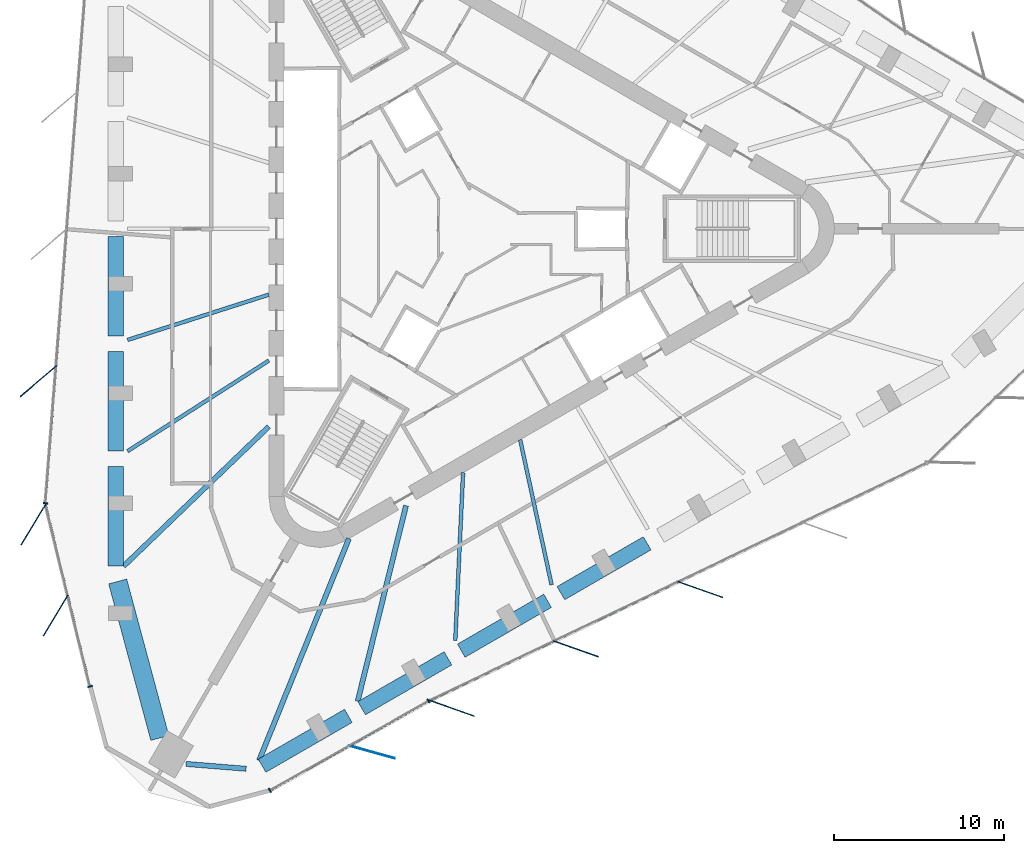
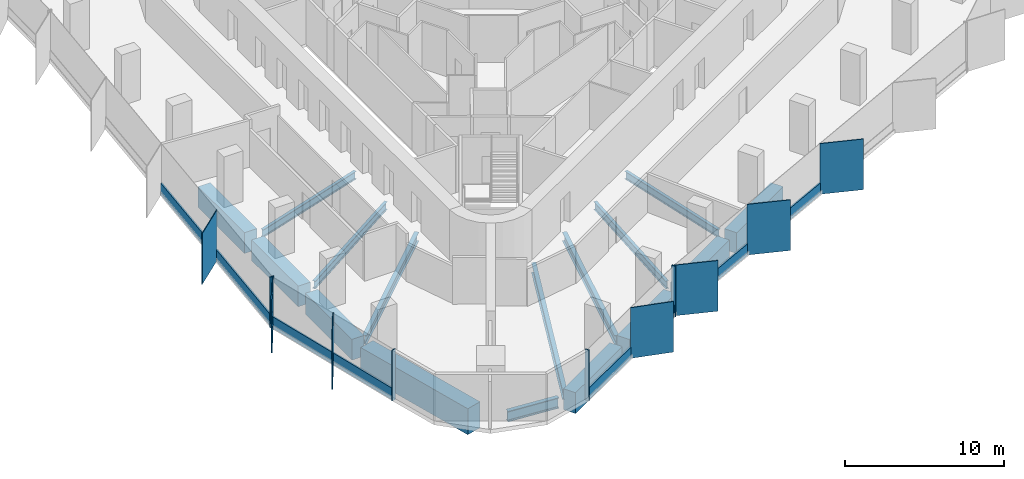
# One storey, part 2 of 14: 19 members, 16 beams, 4 elements without a shape of their own.
"""IFC4 building model written with IfcOpenShell, lengths in metres."""

from ifc_helpers import new_model, si_unit, direction, frame, origin, origin_2d, place, context, subcontext, project, spatial, rectangle, i_section, extrude, material, material_profile, profile_set, type_object, element, aggregate, save


model = new_model("IFC4")

# Units and contexts
model_context = context("Model", 3, precision=1e-05, world=origin(), true_north=direction((0.0, 1.0)))
body_context = subcontext(model_context, "Body", "Model", "MODEL_VIEW")
ifc_project = project(units=[si_unit("LENGTHUNIT", "METRE"), si_unit("AREAUNIT", "SQUARE_METRE"), si_unit("VOLUMEUNIT", "CUBIC_METRE"), si_unit("PLANEANGLEUNIT", "RADIAN"), si_unit("MASSUNIT", "GRAM", prefix="KILO")], contexts=[model_context])

# Site, building, storey
site_placement = place(None, origin())
site = spatial("IfcSite", under=ifc_project, at=site_placement, CompositionType="ELEMENT")
building_placement = place(site_placement, origin())
building = spatial("IfcBuilding", under=site, at=building_placement, Name="Tanit Gate Tower", CompositionType="ELEMENT")
storey_placement = place(building_placement, frame((0.0, 0.0, 298.699951171875)))
storey = spatial("IfcBuildingStorey", under=building, at=storey_placement, Name="L66", CompositionType="ELEMENT", Elevation=298.699951171875)

# Beam
ifc_material_1 = material(Name="Steel S460", Category="steel")
ifc_material_profile_1 = material_profile(ifc_material_1, i_section(OverallWidth=0.302978515625, OverallDepth=0.81396484375, WebThickness=0.02099609375, FlangeThickness=0.0400390625, FilletRadius=0.030029296875, at=origin_2d()), Name="HEM 800")
ifc_profile_set_1 = profile_set([ifc_material_profile_1], Name="Steel S460")
beam_type_1 = type_object("IfcBeamType", Name="BELT TRUSS CHORD HEM 800 S460", PredefinedType="BEAM", material=ifc_profile_set_1)
beam_1_placement = place(storey_placement, frame((-16.9765625, -31.50439453125, -0.70703125), z_axis=(0.996765644219, -0.080363241006, 0.0), x_axis=(0.080363241006, 0.996765644219, 0.0)))
element("IfcBeam", 1, at=beam_1_placement, inside=storey, type_object=beam_type_1, Name="BELT TRUSS CHORD", PredefinedType="BEAM", context=body_context, shape_type="SweptSolid", body=[
    extrude(i_section(OverallWidth=0.302978515625, OverallDepth=0.81396484375, WebThickness=0.02099609375, FlangeThickness=0.0400390625, FilletRadius=0.030029296875, at=origin_2d()), origin(), (0.0, 0.0, 1.0), 3.54833984375),
])

# Curtain wall, member
ifc_material_2 = material(Name="Aluminium bronze anodised and glass", Category="aluminium")
curtain_wall_type = type_object("IfcCurtainWallType", Name="Curtain wall typical high", PredefinedType="NOTDEFINED", material=ifc_material_2)
curtain_wall_1_placement = place(storey_placement, origin())
curtain_wall_1 = element("IfcCurtainWall", 2, at=curtain_wall_1_placement, inside=storey, type_object=curtain_wall_type, Name="Curtain wall L66 W2", PredefinedType="NOTDEFINED")
ifc_material_3 = material(Name="Aluminium bronze anodised", Category="aluminium")
ifc_material_profile_2 = material_profile(ifc_material_3, rectangle(XDim=2.800048828125, YDim=0.055908203125, at=origin_2d()), Name="56x2800 bronze fin mullion")
ifc_profile_set_2 = profile_set([ifc_material_profile_2], Name="Aluminium bronze anodised")
member_type_1 = type_object("IfcMemberType", Name="FIN MULLION 56x2800 bronze", PredefinedType="MULLION", material=ifc_profile_set_2)
member_1_placement = place(storey_placement, frame((-25.669677734375, -8.974609375, -0.300048828125), z_axis=(0.0, 0.0, 1.0), x_axis=(0.760001580735, 0.649921223903, 0.0)))
member_1 = element("IfcMember", 3, at=member_1_placement, type_object=member_type_1, Name="Fin mullion L66 W2.4", PredefinedType="MULLION", context=body_context, shape_type="SweptSolid", body=[
    extrude(rectangle(XDim=2.800048828125, YDim=0.055908203125, at=origin_2d()), origin(), (0.0, 0.0, 1.0), 3.900146484375),
])

# Curtain wall, members
curtain_wall_2_placement = place(storey_placement, origin())
curtain_wall_2 = element("IfcCurtainWall", 4, at=curtain_wall_2_placement, inside=storey, type_object=curtain_wall_type, Name="Curtain wall L66 W3", PredefinedType="NOTDEFINED")
member_2_placement = place(storey_placement, frame((-25.961669921875, -17.415771484375, -0.300048828125), z_axis=(0.0, 0.0, 1.0), x_axis=(0.519036205299, 0.854752255094, 0.0)))
member_2 = element("IfcMember", 5, at=member_2_placement, type_object=member_type_1, Name="Fin mullion L66 W3.1", PredefinedType="MULLION", context=body_context, shape_type="SweptSolid", body=[
    extrude(rectangle(XDim=2.800048828125, YDim=0.055908203125, at=origin_2d()), origin(), (0.0, 0.0, 1.0), 3.900146484375),
])
member_3_placement = place(storey_placement, frame((-24.6533203125, -22.769287109375, -0.300048828125), z_axis=(0.0, 0.0, 1.0), x_axis=(0.519036205299, 0.854752255094, 0.0)))
member_3 = element("IfcMember", 6, at=member_3_placement, type_object=member_type_1, Name="Fin mullion L66 W3.2", PredefinedType="MULLION", context=body_context, shape_type="SweptSolid", body=[
    extrude(rectangle(XDim=2.800048828125, YDim=0.055908203125, at=origin_2d()), origin(), (0.0, 0.0, 1.0), 3.900146484375),
])

# Curtain wall, member
curtain_wall_3_placement = place(storey_placement, origin())
curtain_wall_3 = element("IfcCurtainWall", 7, at=curtain_wall_3_placement, inside=storey, type_object=curtain_wall_type, Name="Curtain wall L66 SE1", PredefinedType="NOTDEFINED")
member_4_placement = place(storey_placement, frame((-6.040283203125, -30.80322265625, -0.300048828125), z_axis=(0.0, 0.0, 1.0), x_axis=(-0.963250243601, 0.268605599724, 0.0)))
member_4 = element("IfcMember", 8, at=member_4_placement, type_object=member_type_1, Name="Fin mullion L66 SE1.2", PredefinedType="MULLION", context=body_context, shape_type="SweptSolid", body=[
    extrude(rectangle(XDim=2.800048828125, YDim=0.055908203125, at=origin_2d()), origin(), (0.0, 0.0, 1.0), 3.900146484375),
])

# Curtain wall, members
curtain_wall_4_placement = place(storey_placement, origin())
curtain_wall_4 = element("IfcCurtainWall", 9, at=curtain_wall_4_placement, inside=storey, type_object=curtain_wall_type, Name="Curtain wall L66 SE2", PredefinedType="NOTDEFINED")
member_5_placement = place(storey_placement, frame((-1.3310546875, -28.22412109375, -0.300048828125), z_axis=(0.0, 0.0, 1.0), x_axis=(-0.942849080727, 0.333220063881, 0.0)))
member_5 = element("IfcMember", 10, at=member_5_placement, type_object=member_type_1, Name="Fin mullion L66 SE2.1", PredefinedType="MULLION", context=body_context, shape_type="SweptSolid", body=[
    extrude(rectangle(XDim=2.800048828125, YDim=0.055908203125, at=origin_2d()), origin(), (0.0, 0.0, 1.0), 3.900146484375),
])
member_6_placement = place(storey_placement, frame((5.981689453125, -24.73046875, -0.300048828125), z_axis=(0.0, 0.0, 1.0), x_axis=(-0.942849080727, 0.333220063881, 0.0)))
member_6 = element("IfcMember", 11, at=member_6_placement, type_object=member_type_1, Name="Fin mullion L66 SE2.2", PredefinedType="MULLION", context=body_context, shape_type="SweptSolid", body=[
    extrude(rectangle(XDim=2.800048828125, YDim=0.055908203125, at=origin_2d()), origin(), (0.0, 0.0, 1.0), 3.900146484375),
])
member_7_placement = place(storey_placement, frame((13.29443359375, -21.237060546875, -0.300048828125), z_axis=(0.0, 0.0, 1.0), x_axis=(-0.942849080727, 0.333220063881, 0.0)))
member_7 = element("IfcMember", 12, at=member_7_placement, type_object=member_type_1, Name="Fin mullion L66 SE2.3", PredefinedType="MULLION", context=body_context, shape_type="SweptSolid", body=[
    extrude(rectangle(XDim=2.800048828125, YDim=0.055908203125, at=origin_2d()), origin(), (0.0, 0.0, 1.0), 3.900146484375),
])

# Member
ifc_material_4 = material(Name="Aluminium bronze anodised", Category="aluminium")
ifc_material_profile_3 = material_profile(ifc_material_4, rectangle(XDim=0.280029296875, YDim=0.080078125, at=origin_2d()), Name="80x280 bronze mullion")
ifc_profile_set_3 = profile_set([ifc_material_profile_3], Name="Aluminium bronze anodised")
member_type_2 = type_object("IfcMemberType", Name="Mullion 80x280 typical high", PredefinedType="MULLION", material=ifc_profile_set_3)
member_8_placement = place(storey_placement, frame((-25.251708984375, -16.157470703125, -0.300048828125), z_axis=(0.0, 0.0, 1.0), x_axis=(0.996965976109, -0.077838566791, 0.0)))
member_8 = element("IfcMember", 13, at=member_8_placement, type_object=member_type_2, Name="Mullion L66 W2.5", PredefinedType="MULLION", context=body_context, shape_type="SweptSolid", body=[
    extrude(rectangle(XDim=0.280029296875, YDim=0.080078125, at=origin_2d()), origin(), (0.0, 0.0, 1.0), 3.900146484375),
])

member_9_placement = place(storey_placement, frame((-22.628662109375, -26.943115234375, -0.300048828125), z_axis=(0.0, 0.0, 1.0), x_axis=(0.97141513626, 0.237387095363, 0.0)))
member_9 = element("IfcMember", 14, at=member_9_placement, type_object=member_type_2, Name="Mullion L66 W3.3", PredefinedType="MULLION", context=body_context, shape_type="SweptSolid", body=[
    extrude(rectangle(XDim=0.280029296875, YDim=0.080078125, at=origin_2d()), origin(), (0.0, 0.0, 1.0), 3.900146484375),
])

member_10_placement = place(storey_placement, frame((-12.0361328125, -33.063720703125, -0.300048828125), z_axis=(0.0, 0.0, 1.0), x_axis=(-0.4911879382, 0.871053620259, 0.0)))
member_10 = element("IfcMember", 15, at=member_10_placement, type_object=member_type_2, Name="Mullion L66 SE1.1", PredefinedType="MULLION", context=body_context, shape_type="SweptSolid", body=[
    extrude(rectangle(XDim=0.280029296875, YDim=0.080078125, at=origin_2d()), origin(), (0.0, 0.0, 1.0), 3.900146484375),
])

member_11_placement = place(storey_placement, frame((-2.703369140625, -27.801025390625, -0.300048828125), z_axis=(0.0, 0.0, 1.0), x_axis=(-0.4911879382, 0.871053620259, 0.0)))
member_11 = element("IfcMember", 16, at=member_11_placement, type_object=member_type_2, Name="Mullion L66 SE1.3", PredefinedType="MULLION", context=body_context, shape_type="SweptSolid", body=[
    extrude(rectangle(XDim=0.280029296875, YDim=0.080078125, at=origin_2d()), origin(), (0.0, 0.0, 1.0), 3.900146484375),
])

# Beams
ifc_material_5 = material(Name="Steel S355", Category="steel")
ifc_material_profile_4 = material_profile(ifc_material_5, i_section(OverallWidth=0.300048828125, OverallDepth=0.68994140625, WebThickness=0.014404296875, FlangeThickness=0.027099609375, FilletRadius=0.027099609375, at=origin_2d()), Name="HEA 700")
ifc_profile_set_4 = profile_set([ifc_material_profile_4], Name="Steel S355")
beam_type_2 = type_object("IfcBeamType", Name="RADIAL GIRDER HEA 700 S355", PredefinedType="BEAM", material=ifc_profile_set_4)
beam_2_placement = place(storey_placement, frame((-20.653564453125, -19.86279296875, -0.64501953125), z_axis=(0.720779680612, 0.693164231634, 0.0), x_axis=(-0.693164231634, 0.720779680612, 0.0)))
element("IfcBeam", 17, at=beam_2_placement, inside=storey, type_object=beam_type_2, Name="RADIAL GIRDER", PredefinedType="BEAM", context=body_context, shape_type="SweptSolid", body=[
    extrude(i_section(OverallWidth=0.300048828125, OverallDepth=0.68994140625, WebThickness=0.014404296875, FlangeThickness=0.027099609375, FilletRadius=0.027099609375, at=origin_2d()), origin(), (0.0, 0.0, 1.0), 11.8642578125),
])
beam_3_placement = place(storey_placement, frame((-6.875, -27.818115234375, -0.64501953125), z_axis=(0.239929921854, 0.970790210395, 0.0), x_axis=(-0.970790210395, 0.239929921854, 0.0)))
element("IfcBeam", 18, at=beam_3_placement, inside=storey, type_object=beam_type_2, Name="RADIAL GIRDER", PredefinedType="BEAM", context=body_context, shape_type="SweptSolid", body=[
    extrude(i_section(OverallWidth=0.300048828125, OverallDepth=0.68994140625, WebThickness=0.014404296875, FlangeThickness=0.027099609375, FilletRadius=0.027099609375, at=origin_2d()), origin(), (0.0, 0.0, 1.0), 11.86474609375),
])
ifc_material_6 = material(Name="Steel S355", Category="steel")
ifc_material_profile_5 = material_profile(ifc_material_6, i_section(OverallWidth=0.300048828125, OverallDepth=0.7900390625, WebThickness=0.014892578125, FlangeThickness=0.028076171875, FilletRadius=0.030029296875, at=origin_2d()), Name="HEA 800")
ifc_profile_set_5 = profile_set([ifc_material_profile_5], Name="Steel S355")
beam_type_3 = type_object("IfcBeamType", Name="RADIAL GIRDER HEA 800 S355", PredefinedType="BEAM", material=ifc_profile_set_5)
beam_4_placement = place(storey_placement, frame((-12.680419921875, -31.3046875, -0.695068359375), z_axis=(0.375439354179, 0.926846962197, 0.0), x_axis=(-0.926846962197, 0.375439354179, 0.0)))
element("IfcBeam", 19, at=beam_4_placement, inside=storey, type_object=beam_type_3, Name="RADIAL GIRDER", PredefinedType="BEAM", context=body_context, shape_type="SweptSolid", body=[
    extrude(i_section(OverallWidth=0.300048828125, OverallDepth=0.7900390625, WebThickness=0.014892578125, FlangeThickness=0.028076171875, FilletRadius=0.030029296875, at=origin_2d()), origin(), (0.0, 0.0, 1.0), 14.09619140625),
])
ifc_material_7 = material(Name="Steel S355", Category="steel")
ifc_material_profile_6 = material_profile(ifc_material_7, i_section(OverallWidth=0.219970703125, OverallDepth=0.60009765625, WebThickness=0.011962890625, FlangeThickness=0.01904296875, FilletRadius=0.02392578125, at=origin_2d()), Name="IPE 600")
ifc_profile_set_6 = profile_set([ifc_material_profile_6], Name="Steel S355")
beam_type_4 = type_object("IfcBeamType", Name="RADIAL GIRDER IPE 600 S355", PredefinedType="BEAM", material=ifc_profile_set_6)
beam_5_placement = place(storey_placement, frame((-20.42138671875, -6.546630859375, -0.599853515625), z_axis=(0.952264375412, 0.305274563828, 0.0), x_axis=(-0.305274563828, 0.952264375412, 0.0)))
element("IfcBeam", 20, at=beam_5_placement, inside=storey, type_object=beam_type_4, Name="RADIAL GIRDER", PredefinedType="BEAM", context=body_context, shape_type="SweptSolid", body=[
    extrude(i_section(OverallWidth=0.219970703125, OverallDepth=0.60009765625, WebThickness=0.011962890625, FlangeThickness=0.01904296875, FilletRadius=0.02392578125, at=origin_2d()), origin(), (0.0, 0.0, 1.0), 8.736328125),
])
beam_6_placement = place(storey_placement, frame((-20.42138671875, -13.09326171875, -0.599853515625), z_axis=(0.841829634381, 0.539743334075, 0.0), x_axis=(-0.539743334075, 0.841829634381, 0.0)))
element("IfcBeam", 21, at=beam_6_placement, inside=storey, type_object=beam_type_4, Name="RADIAL GIRDER", PredefinedType="BEAM", context=body_context, shape_type="SweptSolid", body=[
    extrude(i_section(OverallWidth=0.219970703125, OverallDepth=0.60009765625, WebThickness=0.011962890625, FlangeThickness=0.01904296875, FilletRadius=0.02392578125, at=origin_2d()), origin(), (0.0, 0.0, 1.0), 9.88232421875),
])
beam_7_placement = place(storey_placement, frame((-1.12841796875, -24.232177734375, -0.599853515625), z_axis=(0.046517005863, 0.998917498178, 0.0), x_axis=(-0.998917498178, 0.046517005863, 0.0)))
element("IfcBeam", 22, at=beam_7_placement, inside=storey, type_object=beam_type_4, Name="RADIAL GIRDER", PredefinedType="BEAM", context=body_context, shape_type="SweptSolid", body=[
    extrude(i_section(OverallWidth=0.219970703125, OverallDepth=0.60009765625, WebThickness=0.011962890625, FlangeThickness=0.01904296875, FilletRadius=0.02392578125, at=origin_2d()), origin(), (0.0, 0.0, 1.0), 9.8828125),
])
beam_8_placement = place(storey_placement, frame((4.541259765625, -20.958740234375, -0.599853515625), z_axis=(-0.211767137826, 0.977320151914, 0.0), x_axis=(-0.977320151914, -0.211767137826, 0.0)))
element("IfcBeam", 23, at=beam_8_placement, inside=storey, type_object=beam_type_4, Name="RADIAL GIRDER", PredefinedType="BEAM", context=body_context, shape_type="SweptSolid", body=[
    extrude(i_section(OverallWidth=0.219970703125, OverallDepth=0.60009765625, WebThickness=0.011962890625, FlangeThickness=0.01904296875, FilletRadius=0.02392578125, at=origin_2d()), origin(), (0.0, 0.0, 1.0), 8.736572265625),
])
ifc_material_8 = material(Name="Concrete C60/75", Category="concrete")
ifc_material_profile_7 = material_profile(ifc_material_8, rectangle(XDim=1.10009765625, YDim=2.0, at=origin_2d()), Name="RC 1100x2000")
ifc_profile_set_7 = profile_set([ifc_material_profile_7], Name="Concrete C60/75")
beam_type_5 = type_object("IfcBeamType", Name="TRANSFER GIRDER 1100x2000 C60/75", PredefinedType="USERDEFINED", material=ifc_profile_set_7)
beam_9_placement = place(storey_placement, frame((-21.000244140625, -20.762939453125, -1.300048828125), z_axis=(0.259838608506, -0.965652058212, 0.0), x_axis=(0.965652058212, 0.259838608506, 0.0)))
element("IfcBeam", 24, at=beam_9_placement, inside=storey, type_object=beam_type_5, Name="TRANSFER GIRDER", ObjectType="GIRDER", PredefinedType="USERDEFINED", context=body_context, shape_type="SweptSolid", body=[
    extrude(rectangle(XDim=1.10009765625, YDim=2.0, at=origin_2d()), origin(), (0.0, 0.0, 1.0), 9.54345703125),
])
ifc_material_9 = material(Name="Concrete C60/75", Category="concrete")
ifc_material_profile_8 = material_profile(ifc_material_9, rectangle(XDim=0.89990234375, YDim=1.60009765625, at=origin_2d()), Name="RC 900x1600")
ifc_profile_set_8 = profile_set([ifc_material_profile_8], Name="Concrete C60/75")
beam_type_6 = type_object("IfcBeamType", Name="TRANSFER GIRDER 900x1600 C60/75", PredefinedType="USERDEFINED", material=ifc_profile_set_8)
beam_10_placement = place(storey_placement, frame((-21.121337890625, -7.220947265625, -1.099853515625), z_axis=(0.0, -1.0, 0.0), x_axis=(1.0, 0.0, 0.0)))
element("IfcBeam", 25, at=beam_10_placement, inside=storey, type_object=beam_type_6, Name="TRANSFER GIRDER", ObjectType="GIRDER", PredefinedType="USERDEFINED", context=body_context, shape_type="SweptSolid", body=[
    extrude(rectangle(XDim=0.89990234375, YDim=1.60009765625, at=origin_2d()), origin(), (0.0, 0.0, 1.0), 5.87109375),
])
beam_11_placement = place(storey_placement, frame((-21.121337890625, -13.991943359375, -1.099853515625), z_axis=(0.0, -1.0, 0.0), x_axis=(1.0, 0.0, 0.0)))
element("IfcBeam", 26, at=beam_11_placement, inside=storey, type_object=beam_type_6, Name="TRANSFER GIRDER", ObjectType="GIRDER", PredefinedType="USERDEFINED", context=body_context, shape_type="SweptSolid", body=[
    extrude(rectangle(XDim=0.89990234375, YDim=1.60009765625, at=origin_2d()), origin(), (0.0, 0.0, 1.0), 5.870849609375),
])
for number, where, z_axis, x_axis, name in (
    (27, (-12.5048828125, -31.608642578125, -1.099853515625), (0.866023543838, 0.500003221507, 0.0), (-0.500003221507, 0.866023543838, 0.0), "TRANSFER GIRDER"),
    (28, (-6.64111328125, -28.22314453125, -1.099853515625), (0.866023543838, 0.500003221507, 0.0), (-0.500003221507, 0.866023543838, 0.0), "TRANSFER GIRDER"),
    (29, (-0.77734375, -24.837646484375, -1.099853515625), (0.866023543838, 0.500003221507, 0.0), (-0.500003221507, 0.866023543838, 0.0), "TRANSFER GIRDER"),
):
    element("IfcBeam", number, at=place(storey_placement, frame(where, z_axis=z_axis, x_axis=x_axis)), inside=storey, type_object=beam_type_6, Name=name, ObjectType="GIRDER", PredefinedType="USERDEFINED", context=body_context, shape_type="SweptSolid", body=[
        extrude(rectangle(XDim=0.89990234375, YDim=1.60009765625, at=origin_2d()), origin(), (0.0, 0.0, 1.0), 5.87109375),
    ])
beam_12_placement = place(storey_placement, frame((5.086669921875, -21.4521484375, -1.099853515625), z_axis=(0.866013147201, 0.500021228425, 0.0), x_axis=(-0.500021228425, 0.866013147201, 0.0)))
element("IfcBeam", 30, at=beam_12_placement, inside=storey, type_object=beam_type_6, Name="TRANSFER GIRDER", ObjectType="GIRDER", PredefinedType="USERDEFINED", context=body_context, shape_type="SweptSolid", body=[
    extrude(rectangle(XDim=0.89990234375, YDim=1.60009765625, at=origin_2d()), origin(), (0.0, 0.0, 1.0), 5.870849609375),
])
beam_13_placement = place(storey_placement, frame((-21.121337890625, -0.449951171875, -1.099853515625), z_axis=(0.0, -1.0, 0.0), x_axis=(1.0, 0.0, 0.0)))
element("IfcBeam", 31, at=beam_13_placement, inside=storey, type_object=beam_type_6, Name="TRANSFER GIRDER", ObjectType="GIRDER", PredefinedType="USERDEFINED", context=body_context, shape_type="SweptSolid", body=[
    extrude(rectangle(XDim=0.89990234375, YDim=1.60009765625, at=origin_2d()), origin(), (0.0, 0.0, 1.0), 5.87109375),
])

# Member
ifc_material_10 = material(Name="Aluminium bronze anodised", Category="aluminium")
ifc_material_profile_9 = material_profile(ifc_material_10, rectangle(XDim=0.1201171875, YDim=0.89990234375, at=origin_2d()), Name="120x900 bronze transom")
ifc_profile_set_9 = profile_set([ifc_material_profile_9], Name="Aluminium bronze anodised")
member_type_3 = type_object("IfcMemberType", Name="Transom 120x900 typical high", PredefinedType="USERDEFINED", material=ifc_profile_set_9)
member_12_placement = place(storey_placement, frame((-23.9931640625, -0.03759765625, 0.150146484375), z_axis=(-0.077827186267, -0.996966864584, 0.0), x_axis=(0.996966864584, -0.077827186267, 0.0)))
member_12 = element("IfcMember", 32, at=member_12_placement, type_object=member_type_3, Name="Transom L66 W2.3", ObjectType="TRANSOM", PredefinedType="USERDEFINED", context=body_context, shape_type="SweptSolid", body=[
    extrude(rectangle(XDim=0.1201171875, YDim=0.89990234375, at=origin_2d()), origin(), (0.0, 0.0, 1.0), 8.0244140625),
])

member_13_placement = place(storey_placement, frame((-24.623779296875, -8.117431640625, 0.150146484375), z_axis=(-0.077857426888, -0.996964503419, 0.0), x_axis=(0.996964503419, -0.077857426888, 0.0)))
member_13 = element("IfcMember", 33, at=member_13_placement, type_object=member_type_3, Name="Transom L66 W2.4", ObjectType="TRANSOM", PredefinedType="USERDEFINED", context=body_context, shape_type="SweptSolid", body=[
    extrude(rectangle(XDim=0.1201171875, YDim=0.89990234375, at=origin_2d()), origin(), (0.0, 0.0, 1.0), 8.0244140625),
])

aggregate(curtain_wall_1, [member_1, member_8, member_12, member_13])

member_14_placement = place(storey_placement, frame((-25.23583984375, -16.27490234375, 0.150146484375), z_axis=(0.237391820307, -0.971413981602, 0.0), x_axis=(0.971413981602, 0.237391820307, 0.0)))
member_14 = element("IfcMember", 34, at=member_14_placement, type_object=member_type_3, Name="Transom L66 W3.1", ObjectType="TRANSOM", PredefinedType="USERDEFINED", context=body_context, shape_type="SweptSolid", body=[
    extrude(rectangle(XDim=0.1201171875, YDim=0.89990234375, at=origin_2d()), origin(), (0.0, 0.0, 1.0), 5.43115234375),
])

member_15_placement = place(storey_placement, frame((-23.927490234375, -21.62841796875, 0.150146484375), z_axis=(0.237391820307, -0.971413981602, 0.0), x_axis=(0.971413981602, 0.237391820307, 0.0)))
member_15 = element("IfcMember", 35, at=member_15_placement, type_object=member_type_3, Name="Transom L66 W3.2", ObjectType="TRANSOM", PredefinedType="USERDEFINED", context=body_context, shape_type="SweptSolid", body=[
    extrude(rectangle(XDim=0.1201171875, YDim=0.89990234375, at=origin_2d()), origin(), (0.0, 0.0, 1.0), 5.43115234375),
])

aggregate(curtain_wall_2, [member_2, member_3, member_9, member_14, member_15])

member_16_placement = place(storey_placement, frame((-12.001220703125, -33.044189453125, 0.150146484375), z_axis=(0.871056124782, 0.49118349675, 0.0), x_axis=(-0.49118349675, 0.871056124782, 0.0)))
member_16 = element("IfcMember", 36, at=member_16_placement, type_object=member_type_3, Name="Transom L66 SE1.1", ObjectType="TRANSOM", PredefinedType="USERDEFINED", context=body_context, shape_type="SweptSolid", body=[
    extrude(rectangle(XDim=0.1201171875, YDim=0.89990234375, at=origin_2d()), origin(), (0.0, 0.0, 1.0), 5.277099609375),
])

member_17_placement = place(storey_placement, frame((-7.3349609375, -30.412841796875, 0.150146484375), z_axis=(0.871056124782, 0.49118349675, 0.0), x_axis=(-0.49118349675, 0.871056124782, 0.0)))
member_17 = element("IfcMember", 37, at=member_17_placement, type_object=member_type_3, Name="Transom L66 SE1.2", ObjectType="TRANSOM", PredefinedType="USERDEFINED", context=body_context, shape_type="SweptSolid", body=[
    extrude(rectangle(XDim=0.1201171875, YDim=0.89990234375, at=origin_2d()), origin(), (0.0, 0.0, 1.0), 5.277099609375),
])

aggregate(curtain_wall_3, [member_10, member_4, member_11, member_16, member_17])

member_18_placement = place(storey_placement, frame((-2.596435546875, -27.7470703125, 0.150146484375), z_axis=(0.902309207174, 0.431089427671, 0.0), x_axis=(-0.431089427671, 0.902309207174, 0.0)))
member_18 = element("IfcMember", 38, at=member_18_placement, type_object=member_type_3, Name="Transom L66 SE2.1", ObjectType="TRANSOM", PredefinedType="USERDEFINED", context=body_context, shape_type="SweptSolid", body=[
    extrude(rectangle(XDim=0.1201171875, YDim=0.89990234375, at=origin_2d()), origin(), (0.0, 0.0, 1.0), 8.0244140625),
])

member_19_placement = place(storey_placement, frame((4.71630859375, -24.25341796875, 0.150146484375), z_axis=(0.902309207174, 0.431089427671, 0.0), x_axis=(-0.431089427671, 0.902309207174, 0.0)))
member_19 = element("IfcMember", 39, at=member_19_placement, type_object=member_type_3, Name="Transom L66 SE2.2", ObjectType="TRANSOM", PredefinedType="USERDEFINED", context=body_context, shape_type="SweptSolid", body=[
    extrude(rectangle(XDim=0.1201171875, YDim=0.89990234375, at=origin_2d()), origin(), (0.0, 0.0, 1.0), 8.0244140625),
])

aggregate(curtain_wall_4, [member_5, member_6, member_7, member_18, member_19])

save(model, "model.ifc")
